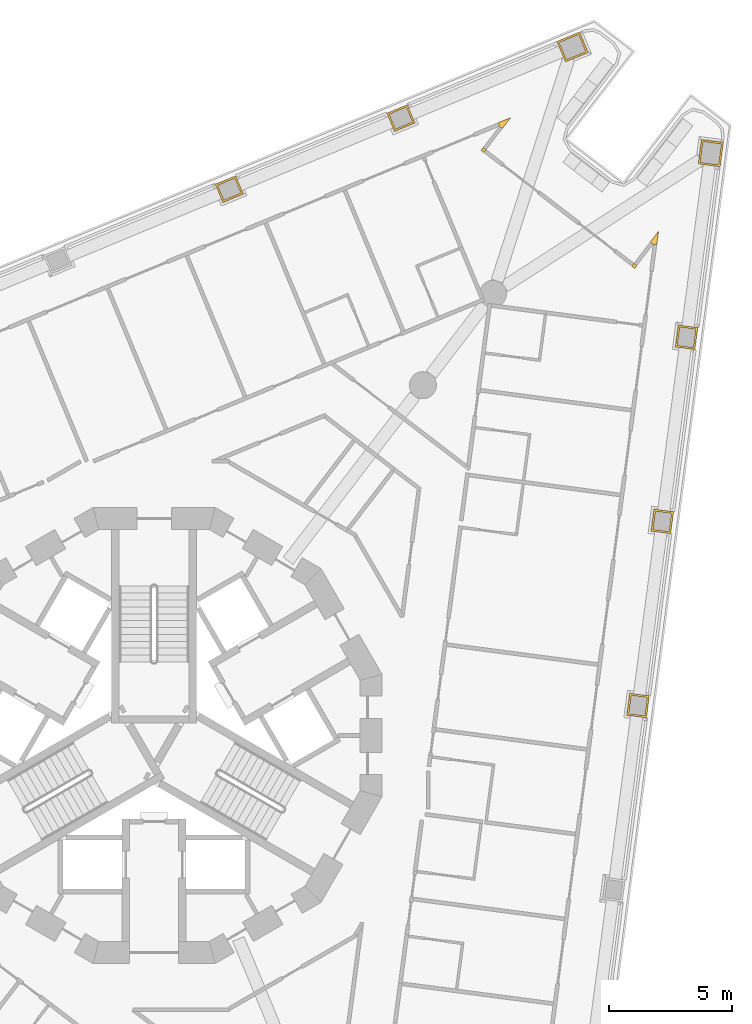
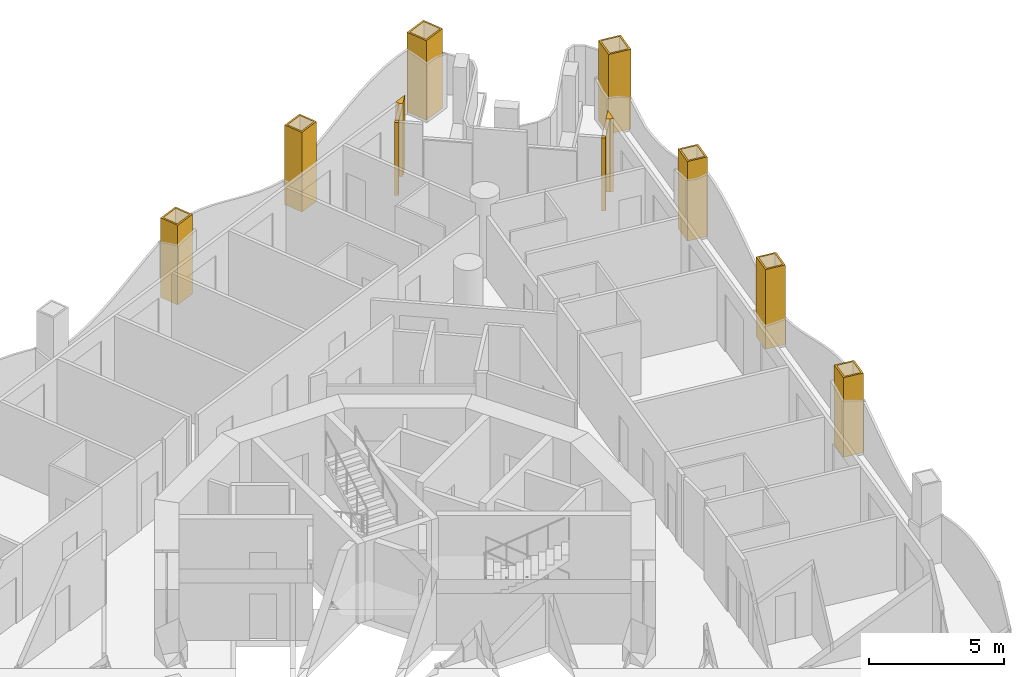
# One storey, part 16 of 17: 11 coverings.
"""IFC4 building model written with IfcOpenShell, lengths in metres."""

from ifc_helpers import new_model, si_unit, direction, frame, origin, place, context, subcontext, project, spatial, polyline, outline, extrude, material, layer, layer_set, type_object, element, save


model = new_model("IFC4")

# Units and contexts
model_context = context("Model", 3, precision=1e-05, world=origin(), true_north=direction((0.0, 1.0)))
body_context = subcontext(model_context, "Body", "Model", "MODEL_VIEW")
ifc_project = project(units=[si_unit("LENGTHUNIT", "METRE"), si_unit("AREAUNIT", "SQUARE_METRE"), si_unit("VOLUMEUNIT", "CUBIC_METRE"), si_unit("PLANEANGLEUNIT", "RADIAN"), si_unit("MASSUNIT", "GRAM", prefix="KILO")], contexts=[model_context])

# Site, building, storey
site_placement = place(None, origin())
site = spatial("IfcSite", under=ifc_project, at=site_placement, CompositionType="ELEMENT")
building_placement = place(site_placement, origin())
building = spatial("IfcBuilding", under=site, at=building_placement, Name="Trine Commons Tower", CompositionType="ELEMENT")
storey_placement = place(building_placement, frame((0.0, 0.0, 131.39990234375)))
storey = spatial("IfcBuildingStorey", under=building, at=storey_placement, Name="L33", CompositionType="ELEMENT", Elevation=131.39990234375)

# Coverings
ifc_material_1 = material(Name="Aluminium-framed insulated wall panel", Category="aluminium")
ifc_layer_1 = layer(ifc_material_1, 0.14990234375)
ifc_layer_set_1 = layer_set([ifc_layer_1], Name="Aluminium-framed insulated wall panel")
covering_type_1 = type_object("IfcCoveringType", Name="Glazing corner post, aluminium", PredefinedType="CLADDING", material=ifc_layer_set_1)
covering_1_placement = place(storey_placement, origin())
element("IfcCovering", 1, at=covering_1_placement, inside=storey, type_object=covering_type_1, Name="Glazing corner post 4-05", PredefinedType="CLADDING", context=body_context, shape_type="SweptSolid", body=[
    extrude(outline(polyline([(94.04248046875, 87.272705078125), (94.04248046875, 87.272705078125), (94.16162109375, 87.181396484375), (94.50244140625, 87.62548828125), (93.985107421875, 87.411376953125), (94.04248046875, 87.272705078125)])), origin(), (0.0, 0.0, 1.0), 3.300048828125),
])
covering_2_placement = place(storey_placement, origin())
element("IfcCovering", 2, at=covering_2_placement, inside=storey, type_object=covering_type_1, Name="Glazing corner post 4-06", PredefinedType="CLADDING", context=body_context, shape_type="SweptSolid", body=[
    extrude(outline(polyline([(93.4091796875, 86.201171875), (93.50048828125, 86.320068359375), (93.381591796875, 86.411376953125), (93.290283203125, 86.29248046875), (93.4091796875, 86.201171875)])), origin(), (0.0, 0.0, 1.0), 3.300048828125),
])
covering_3_placement = place(storey_placement, origin())
element("IfcCovering", 3, at=covering_3_placement, inside=storey, type_object=covering_type_1, Name="Glazing corner post 4-07", PredefinedType="CLADDING", context=body_context, shape_type="SweptSolid", body=[
    extrude(outline(polyline([(99.4228515625, 81.586669921875), (99.5419921875, 81.495361328125), (99.63330078125, 81.614501953125), (99.514404296875, 81.705810546875), (99.4228515625, 81.586669921875)])), origin(), (0.0, 0.0, 1.0), 3.300048828125),
])
covering_4_placement = place(storey_placement, origin())
element("IfcCovering", 4, at=covering_4_placement, inside=storey, type_object=covering_type_1, Name="Glazing corner post 4-08", PredefinedType="CLADDING", context=body_context, shape_type="SweptSolid", body=[
    extrude(outline(polyline([(100.44287109375, 82.456298828125), (100.51611328125, 83.01123046875), (100.17529296875, 82.567138671875), (100.294189453125, 82.475830078125), (100.44287109375, 82.456298828125)])), origin(), (0.0, 0.0, 1.0), 3.300048828125),
])
ifc_material_2 = material(Name="Limestone, honed", Category="masonry")
ifc_layer_2 = layer(ifc_material_2, 0.074951171875)
ifc_layer_set_2 = layer_set([ifc_layer_2], Name="Limestone, honed")
covering_type_2 = type_object("IfcCoveringType", Name="Limestone column cladding 75", PredefinedType="CLADDING", material=ifc_layer_set_2)
covering_5_placement = place(storey_placement, origin())
element("IfcCovering", 5, at=covering_5_placement, inside=storey, type_object=covering_type_2, Name="Limestone pier cladding 4-14", PredefinedType="CLADDING", context=body_context, shape_type="SweptSolid", body=[
    extrude(outline(polyline([(83.62841796875, 84.517822265625), (83.322265625, 85.2568359375), (82.49072265625, 84.912353515625), (82.796875, 84.17333984375), (83.62841796875, 84.517822265625)]), holes=[polyline([(83.5302734375, 84.558349609375), (83.281494140625, 85.158935546875), (82.588623046875, 84.871826171875), (82.83740234375, 84.271240234375), (83.5302734375, 84.558349609375)])]), origin(), (0.0, 0.0, 1.0), 3.60009765625),
])
covering_6_placement = place(storey_placement, origin())
element("IfcCovering", 6, at=covering_6_placement, inside=storey, type_object=covering_type_2, Name="Limestone pier cladding 4-15", PredefinedType="CLADDING", context=body_context, shape_type="SweptSolid", body=[
    extrude(outline(polyline([(90.60546875, 87.40771484375), (90.29931640625, 88.14697265625), (89.4677734375, 87.802490234375), (89.77392578125, 87.063232421875), (90.60546875, 87.40771484375)]), holes=[polyline([(90.50732421875, 87.4482421875), (90.2587890625, 88.048828125), (89.56591796875, 87.761962890625), (89.814453125, 87.161376953125), (90.50732421875, 87.4482421875)])]), origin(), (0.0, 0.0, 1.0), 3.60009765625),
])
covering_7_placement = place(storey_placement, origin())
element("IfcCovering", 7, at=covering_7_placement, inside=storey, type_object=covering_type_2, Name="Limestone pier cladding 4-16", PredefinedType="CLADDING", context=body_context, shape_type="SweptSolid", body=[
    extrude(outline(polyline([(97.647705078125, 90.270751953125), (97.30322265625, 91.102294921875), (96.37939453125, 90.719482421875), (96.723876953125, 89.887939453125), (97.647705078125, 90.270751953125)]), holes=[polyline([(97.5498046875, 90.311279296875), (97.2626953125, 91.004150390625), (96.477294921875, 90.678955078125), (96.764404296875, 89.986083984375), (97.5498046875, 90.311279296875)])]), origin(), (0.0, 0.0, 1.0), 3.60009765625),
])
covering_8_placement = place(storey_placement, origin())
element("IfcCovering", 8, at=covering_8_placement, inside=storey, type_object=covering_type_2, Name="Limestone pier cladding 4-17", PredefinedType="CLADDING", context=body_context, shape_type="SweptSolid", body=[
    extrude(outline(polyline([(103.149169921875, 86.61669921875), (102.2568359375, 86.734130859375), (102.126220703125, 85.74267578125), (103.0185546875, 85.625), (103.149169921875, 86.61669921875)]), holes=[polyline([(103.06494140625, 86.552001953125), (102.3212890625, 86.64990234375), (102.21044921875, 85.80712890625), (102.9541015625, 85.709228515625), (103.06494140625, 86.552001953125)])]), origin(), (0.0, 0.0, 1.0), 3.60009765625),
])
covering_9_placement = place(storey_placement, origin())
element("IfcCovering", 9, at=covering_9_placement, inside=storey, type_object=covering_type_2, Name="Limestone pier cladding 4-18", PredefinedType="CLADDING", context=body_context, shape_type="SweptSolid", body=[
    extrude(outline(polyline([(102.107421875, 79.086181640625), (101.314208984375, 79.190673828125), (101.19677734375, 78.29833984375), (101.98974609375, 78.19384765625), (102.107421875, 79.086181640625)]), holes=[polyline([(102.023193359375, 79.021484375), (101.378662109375, 79.1064453125), (101.28076171875, 78.36279296875), (101.92529296875, 78.278076171875), (102.023193359375, 79.021484375)])]), origin(), (0.0, 0.0, 1.0), 3.60009765625),
])
covering_10_placement = place(storey_placement, origin())
element("IfcCovering", 10, at=covering_10_placement, inside=storey, type_object=covering_type_2, Name="Limestone pier cladding 4-19", PredefinedType="CLADDING", context=body_context, shape_type="SweptSolid", body=[
    extrude(outline(polyline([(101.12158203125, 71.598876953125), (100.328369140625, 71.703369140625), (100.2109375, 70.81103515625), (101.00390625, 70.70654296875), (101.12158203125, 71.598876953125)]), holes=[polyline([(101.037353515625, 71.5341796875), (100.392822265625, 71.619140625), (100.294921875, 70.87548828125), (100.939453125, 70.790771484375), (101.037353515625, 71.5341796875)])]), origin(), (0.0, 0.0, 1.0), 3.60009765625),
])
covering_11_placement = place(storey_placement, origin())
element("IfcCovering", 11, at=covering_11_placement, inside=storey, type_object=covering_type_2, Name="Limestone pier cladding 4-20", PredefinedType="CLADDING", context=body_context, shape_type="SweptSolid", body=[
    extrude(outline(polyline([(100.1357421875, 64.111572265625), (99.3427734375, 64.216064453125), (99.22509765625, 63.32373046875), (100.018310546875, 63.21923828125), (100.1357421875, 64.111572265625)]), holes=[polyline([(100.0517578125, 64.047119140625), (99.4072265625, 64.1318359375), (99.309326171875, 63.38818359375), (99.953857421875, 63.303466796875), (100.0517578125, 64.047119140625)])]), origin(), (0.0, 0.0, 1.0), 3.60009765625),
])

save(model, "model.ifc")
